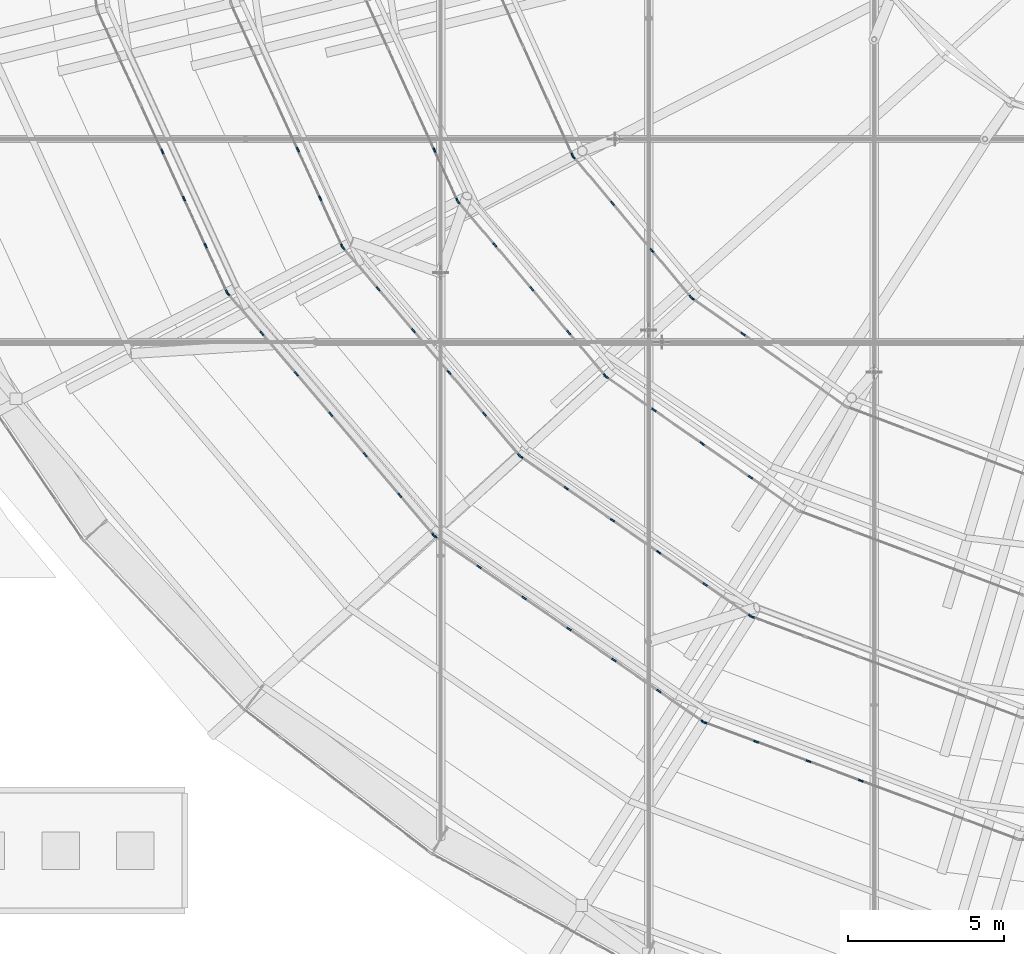
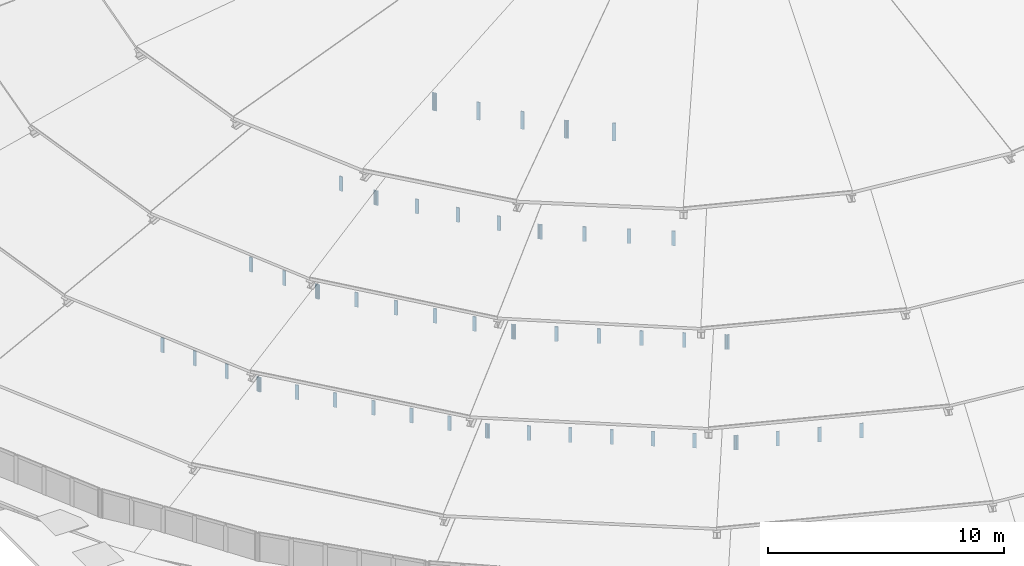
# One storey, part 125 of 173: 56 members, 14 elements without a shape of their own.
"""IFC4 building model written with IfcOpenShell, lengths in metres."""

from ifc_helpers import new_model, si_unit, direction, frame, origin, origin_2d, place, context, subcontext, project, spatial, rectangle, extrude, material, material_profile, profile_set, type_object, element, aggregate, save


model = new_model("IFC4")

# Units and contexts
model_context = context("Model", 3, precision=1e-05, world=origin(), true_north=direction((0.0, 1.0)))
body_context = subcontext(model_context, "Body", "Model", "MODEL_VIEW")
ifc_project = project(units=[si_unit("LENGTHUNIT", "METRE"), si_unit("AREAUNIT", "SQUARE_METRE"), si_unit("VOLUMEUNIT", "CUBIC_METRE"), si_unit("PLANEANGLEUNIT", "RADIAN"), si_unit("MASSUNIT", "GRAM", prefix="KILO")], contexts=[model_context])

# Site, building, storey
site_placement = place(None, origin())
site = spatial("IfcSite", under=ifc_project, at=site_placement, CompositionType="ELEMENT")
building_placement = place(site_placement, origin())
building = spatial("IfcBuilding", under=site, at=building_placement, Name="Glasvene Arena", CompositionType="ELEMENT")
storey_placement = place(building_placement, frame((0.0, 0.0, 28.800048828125)))
storey = spatial("IfcBuildingStorey", under=building, at=storey_placement, Name="RF", CompositionType="ELEMENT", Elevation=28.800048828125)

# Curtain wall, members
ifc_material_1 = material(Name="Low-emissivity laminated double glazing", Category="glass")
curtain_wall_type_1 = type_object("IfcCurtainWallType", Name="CW-PET1-1001x75", PredefinedType="USERDEFINED", material=ifc_material_1)
curtain_wall_1_placement = place(storey_placement, frame((51.575927734375, 63.242431640625, 0.0)))
curtain_wall_1 = element("IfcCurtainWall", 1, at=curtain_wall_1_placement, inside=storey, type_object=curtain_wall_type_1, Name="Petal ring 1-2 clerestory curtain wall 14", ObjectType="CURTAIN WALL", PredefinedType="USERDEFINED")
ifc_material_2 = material(Name="Anodised architectural aluminium", Category="aluminium")
ifc_material_profile = material_profile(ifc_material_2, rectangle(XDim=0.050048828125, YDim=0.159912109375, at=origin_2d()), Name="ALU MULLION 50x160")
ifc_profile_set = profile_set([ifc_material_profile], Name="Anodised architectural aluminium")
member_type = type_object("IfcMemberType", Name="CW-MUL-150", PredefinedType="MULLION", material=ifc_profile_set)
member_1_placement = place(storey_placement, frame((53.66650390625, 58.6962890625, 2.579833984375), z_axis=(0.0, 0.0, 1.0), x_axis=(0.908556831634, 0.41776127596, 0.0)))
member_1 = element("IfcMember", 2, at=member_1_placement, type_object=member_type, Name="CW-082 mullion 4", PredefinedType="MULLION", context=body_context, shape_type="SweptSolid", body=[
    extrude(rectangle(XDim=0.050048828125, YDim=0.159912109375, at=origin_2d()), origin(), (0.0, 0.0, 1.0), 0.75),
])
member_2_placement = place(storey_placement, frame((54.36328125, 57.180908203125, 2.579833984375), z_axis=(0.0, 0.0, 1.0), x_axis=(0.908556831634, 0.41776127596, 0.0)))
member_2 = element("IfcMember", 3, at=member_2_placement, type_object=member_type, Name="CW-082 mullion 5", PredefinedType="MULLION", context=body_context, shape_type="SweptSolid", body=[
    extrude(rectangle(XDim=0.050048828125, YDim=0.159912109375, at=origin_2d()), origin(), (0.0, 0.0, 1.0), 0.75),
])
member_3_placement = place(storey_placement, frame((55.06005859375, 55.66552734375, 2.579833984375), z_axis=(0.0, 0.0, 1.0), x_axis=(0.908556831634, 0.41776127596, 0.0)))
member_3 = element("IfcMember", 4, at=member_3_placement, type_object=member_type, Name="CW-082 mullion 6", PredefinedType="MULLION", context=body_context, shape_type="SweptSolid", body=[
    extrude(rectangle(XDim=0.050048828125, YDim=0.159912109375, at=origin_2d()), origin(), (0.0, 0.0, 1.0), 0.75),
])
member_4_placement = place(storey_placement, frame((55.746337890625, 54.172607421875, 2.579833984375), z_axis=(0.0, 0.0, 1.0), x_axis=(0.908556831634, 0.41776127596, 0.0)))
member_4 = element("IfcMember", 5, at=member_4_placement, type_object=member_type, Name="CW-082 mullion 7", PredefinedType="MULLION", context=body_context, shape_type="SweptSolid", body=[
    extrude(rectangle(XDim=0.050048828125, YDim=0.159912109375, at=origin_2d()), origin(), (0.0, 0.0, 1.0), 0.75),
])
aggregate(curtain_wall_1, [member_1, member_2, member_3, member_4])

curtain_wall_type_2 = type_object("IfcCurtainWallType", Name="CW-PET1-1026x75", PredefinedType="USERDEFINED", material=ifc_material_1)
curtain_wall_2_placement = place(storey_placement, frame((55.7568359375, 54.14990234375, 0.0)))
curtain_wall_2 = element("IfcCurtainWall", 6, at=curtain_wall_2_placement, inside=storey, type_object=curtain_wall_type_2, Name="Petal ring 1-2 clerestory curtain wall 15", ObjectType="CURTAIN WALL", PredefinedType="USERDEFINED")
member_5_placement = place(storey_placement, frame((55.77294921875, 54.130859375, 2.579833984375), z_axis=(0.0, 0.0, 1.0), x_axis=(0.761261234149, 0.648445320272, 0.0)))
member_5 = element("IfcMember", 7, at=member_5_placement, type_object=member_type, Name="CW-083 mullion 1", PredefinedType="MULLION", context=body_context, shape_type="SweptSolid", body=[
    extrude(rectangle(XDim=0.050048828125, YDim=0.159912109375, at=origin_2d()), origin(), (0.0, 0.0, 1.0), 0.75),
])
member_6_placement = place(storey_placement, frame((56.865234375, 52.8486328125, 2.579833984375), z_axis=(0.0, 0.0, 1.0), x_axis=(0.761261234149, 0.648445320272, 0.0)))
member_6 = element("IfcMember", 8, at=member_6_placement, type_object=member_type, Name="CW-083 mullion 2", PredefinedType="MULLION", context=body_context, shape_type="SweptSolid", body=[
    extrude(rectangle(XDim=0.050048828125, YDim=0.159912109375, at=origin_2d()), origin(), (0.0, 0.0, 1.0), 0.75),
])
member_7_placement = place(storey_placement, frame((57.9736328125, 51.54736328125, 2.579833984375), z_axis=(0.0, 0.0, 1.0), x_axis=(0.761261234149, 0.648445320272, 0.0)))
member_7 = element("IfcMember", 9, at=member_7_placement, type_object=member_type, Name="CW-083 mullion 3", PredefinedType="MULLION", context=body_context, shape_type="SweptSolid", body=[
    extrude(rectangle(XDim=0.050048828125, YDim=0.159912109375, at=origin_2d()), origin(), (0.0, 0.0, 1.0), 0.75),
])
member_8_placement = place(storey_placement, frame((59.082275390625, 50.24609375, 2.579833984375), z_axis=(0.0, 0.0, 1.0), x_axis=(0.761261234149, 0.648445320272, 0.0)))
member_8 = element("IfcMember", 10, at=member_8_placement, type_object=member_type, Name="CW-083 mullion 4", PredefinedType="MULLION", context=body_context, shape_type="SweptSolid", body=[
    extrude(rectangle(XDim=0.050048828125, YDim=0.159912109375, at=origin_2d()), origin(), (0.0, 0.0, 1.0), 0.75),
])
member_9_placement = place(storey_placement, frame((60.190673828125, 48.94482421875, 2.579833984375), z_axis=(0.0, 0.0, 1.0), x_axis=(0.761261234149, 0.648445320272, 0.0)))
member_9 = element("IfcMember", 11, at=member_9_placement, type_object=member_type, Name="CW-083 mullion 5", PredefinedType="MULLION", context=body_context, shape_type="SweptSolid", body=[
    extrude(rectangle(XDim=0.050048828125, YDim=0.159912109375, at=origin_2d()), origin(), (0.0, 0.0, 1.0), 0.75),
])
member_10_placement = place(storey_placement, frame((61.299072265625, 47.643310546875, 2.579833984375), z_axis=(0.0, 0.0, 1.0), x_axis=(0.761261234149, 0.648445320272, 0.0)))
member_10 = element("IfcMember", 12, at=member_10_placement, type_object=member_type, Name="CW-083 mullion 6", PredefinedType="MULLION", context=body_context, shape_type="SweptSolid", body=[
    extrude(rectangle(XDim=0.050048828125, YDim=0.159912109375, at=origin_2d()), origin(), (0.0, 0.0, 1.0), 0.75),
])
member_11_placement = place(storey_placement, frame((62.391357421875, 46.361083984375, 2.579833984375), z_axis=(0.0, 0.0, 1.0), x_axis=(0.761261234149, 0.648445320272, 0.0)))
member_11 = element("IfcMember", 13, at=member_11_placement, type_object=member_type, Name="CW-083 mullion 7", PredefinedType="MULLION", context=body_context, shape_type="SweptSolid", body=[
    extrude(rectangle(XDim=0.050048828125, YDim=0.159912109375, at=origin_2d()), origin(), (0.0, 0.0, 1.0), 0.75),
])
aggregate(curtain_wall_2, [member_5, member_6, member_7, member_8, member_9, member_10, member_11])

curtain_wall_type_3 = type_object("IfcCurtainWallType", Name="CW-PET1-1054x75", PredefinedType="USERDEFINED", material=ifc_material_1)
curtain_wall_3_placement = place(storey_placement, frame((62.40771484375, 46.342041015625, 0.0)))
curtain_wall_3 = element("IfcCurtainWall", 14, at=curtain_wall_3_placement, inside=storey, type_object=curtain_wall_type_3, Name="Petal ring 1-2 clerestory curtain wall 16", ObjectType="CURTAIN WALL", PredefinedType="USERDEFINED")
member_12_placement = place(storey_placement, frame((62.42822265625, 46.327880859375, 2.579833984375), z_axis=(0.0, 0.0, 1.0), x_axis=(0.568619089886, 0.822600954666, 0.0)))
member_12 = element("IfcMember", 15, at=member_12_placement, type_object=member_type, Name="CW-084 mullion 1", PredefinedType="MULLION", context=body_context, shape_type="SweptSolid", body=[
    extrude(rectangle(XDim=0.050048828125, YDim=0.159912109375, at=origin_2d()), origin(), (0.0, 0.0, 1.0), 0.75),
])
member_13_placement = place(storey_placement, frame((63.85205078125, 45.343505859375, 2.579833984375), z_axis=(0.0, 0.0, 1.0), x_axis=(0.568619089886, 0.822600954666, 0.0)))
member_13 = element("IfcMember", 16, at=member_13_placement, type_object=member_type, Name="CW-084 mullion 2", PredefinedType="MULLION", context=body_context, shape_type="SweptSolid", body=[
    extrude(rectangle(XDim=0.050048828125, YDim=0.159912109375, at=origin_2d()), origin(), (0.0, 0.0, 1.0), 0.75),
])
member_14_placement = place(storey_placement, frame((65.296630859375, 44.344970703125, 2.579833984375), z_axis=(0.0, 0.0, 1.0), x_axis=(0.568619089886, 0.822600954666, 0.0)))
member_14 = element("IfcMember", 17, at=member_14_placement, type_object=member_type, Name="CW-084 mullion 3", PredefinedType="MULLION", context=body_context, shape_type="SweptSolid", body=[
    extrude(rectangle(XDim=0.050048828125, YDim=0.159912109375, at=origin_2d()), origin(), (0.0, 0.0, 1.0), 0.75),
])
member_15_placement = place(storey_placement, frame((66.7412109375, 43.346435546875, 2.579833984375), z_axis=(0.0, 0.0, 1.0), x_axis=(0.568619089886, 0.822600954666, 0.0)))
member_15 = element("IfcMember", 18, at=member_15_placement, type_object=member_type, Name="CW-084 mullion 4", PredefinedType="MULLION", context=body_context, shape_type="SweptSolid", body=[
    extrude(rectangle(XDim=0.050048828125, YDim=0.159912109375, at=origin_2d()), origin(), (0.0, 0.0, 1.0), 0.75),
])
member_16_placement = place(storey_placement, frame((68.185791015625, 42.347900390625, 2.579833984375), z_axis=(0.0, 0.0, 1.0), x_axis=(0.568619089886, 0.822600954666, 0.0)))
member_16 = element("IfcMember", 19, at=member_16_placement, type_object=member_type, Name="CW-084 mullion 5", PredefinedType="MULLION", context=body_context, shape_type="SweptSolid", body=[
    extrude(rectangle(XDim=0.050048828125, YDim=0.159912109375, at=origin_2d()), origin(), (0.0, 0.0, 1.0), 0.75),
])
member_17_placement = place(storey_placement, frame((69.63037109375, 41.349365234375, 2.579833984375), z_axis=(0.0, 0.0, 1.0), x_axis=(0.568619089886, 0.822600954666, 0.0)))
member_17 = element("IfcMember", 20, at=member_17_placement, type_object=member_type, Name="CW-084 mullion 6", PredefinedType="MULLION", context=body_context, shape_type="SweptSolid", body=[
    extrude(rectangle(XDim=0.050048828125, YDim=0.159912109375, at=origin_2d()), origin(), (0.0, 0.0, 1.0), 0.75),
])
member_18_placement = place(storey_placement, frame((71.054443359375, 40.364990234375, 2.579833984375), z_axis=(0.0, 0.0, 1.0), x_axis=(0.568619089886, 0.822600954666, 0.0)))
member_18 = element("IfcMember", 21, at=member_18_placement, type_object=member_type, Name="CW-084 mullion 7", PredefinedType="MULLION", context=body_context, shape_type="SweptSolid", body=[
    extrude(rectangle(XDim=0.050048828125, YDim=0.159912109375, at=origin_2d()), origin(), (0.0, 0.0, 1.0), 0.75),
])
aggregate(curtain_wall_3, [member_12, member_13, member_14, member_15, member_16, member_17, member_18])

curtain_wall_type_4 = type_object("IfcCurtainWallType", Name="CW-PET1-1077x75", PredefinedType="USERDEFINED", material=ifc_material_1)
curtain_wall_4_placement = place(storey_placement, frame((71.074951171875, 40.350830078125, 0.0)))
curtain_wall_4 = element("IfcCurtainWall", 22, at=curtain_wall_4_placement, inside=storey, type_object=curtain_wall_type_4, Name="Petal ring 1-2 clerestory curtain wall 17", ObjectType="CURTAIN WALL", PredefinedType="USERDEFINED")
member_19_placement = place(storey_placement, frame((71.098388671875, 40.342041015625, 2.579833984375), z_axis=(0.0, 0.0, 1.0), x_axis=(0.349591006176, 0.936902411354, 0.0)))
member_19 = element("IfcMember", 23, at=member_19_placement, type_object=member_type, Name="CW-085 mullion 1", PredefinedType="MULLION", context=body_context, shape_type="SweptSolid", body=[
    extrude(rectangle(XDim=0.050048828125, YDim=0.159912109375, at=origin_2d()), origin(), (0.0, 0.0, 1.0), 0.75),
])
member_20_placement = place(storey_placement, frame((72.75732421875, 39.72314453125, 2.579833984375), z_axis=(0.0, 0.0, 1.0), x_axis=(0.349591006176, 0.936902411354, 0.0)))
member_20 = element("IfcMember", 24, at=member_20_placement, type_object=member_type, Name="CW-085 mullion 2", PredefinedType="MULLION", context=body_context, shape_type="SweptSolid", body=[
    extrude(rectangle(XDim=0.050048828125, YDim=0.159912109375, at=origin_2d()), origin(), (0.0, 0.0, 1.0), 0.75),
])
member_21_placement = place(storey_placement, frame((74.439453125, 39.095458984375, 2.579833984375), z_axis=(0.0, 0.0, 1.0), x_axis=(0.349591006176, 0.936902411354, 0.0)))
member_21 = element("IfcMember", 25, at=member_21_placement, type_object=member_type, Name="CW-085 mullion 3", PredefinedType="MULLION", context=body_context, shape_type="SweptSolid", body=[
    extrude(rectangle(XDim=0.050048828125, YDim=0.159912109375, at=origin_2d()), origin(), (0.0, 0.0, 1.0), 0.75),
])
member_22_placement = place(storey_placement, frame((76.12158203125, 38.4677734375, 2.579833984375), z_axis=(0.0, 0.0, 1.0), x_axis=(0.349591006176, 0.936902411354, 0.0)))
member_22 = element("IfcMember", 26, at=member_22_placement, type_object=member_type, Name="CW-085 mullion 4", PredefinedType="MULLION", context=body_context, shape_type="SweptSolid", body=[
    extrude(rectangle(XDim=0.050048828125, YDim=0.159912109375, at=origin_2d()), origin(), (0.0, 0.0, 1.0), 0.75),
])
aggregate(curtain_wall_4, [member_19, member_20, member_21, member_22])

curtain_wall_type_5 = type_object("IfcCurtainWallType", Name="CW-PET2-861x75", PredefinedType="USERDEFINED", material=ifc_material_1)
curtain_wall_5_placement = place(storey_placement, frame((55.873291015625, 63.451416015625, 0.0)))
curtain_wall_5 = element("IfcCurtainWall", 27, at=curtain_wall_5_placement, inside=storey, type_object=curtain_wall_type_5, Name="Petal ring 2-3 clerestory curtain wall 14", ObjectType="CURTAIN WALL", PredefinedType="USERDEFINED")
member_23_placement = place(storey_placement, frame((58.025146484375, 58.755615234375, 5.179931640625), z_axis=(0.0, 0.0, 1.0), x_axis=(0.909093602111, 0.416591913749, 0.0)))
member_23 = element("IfcMember", 28, at=member_23_placement, type_object=member_type, Name="CW-088 mullion 4", PredefinedType="MULLION", context=body_context, shape_type="SweptSolid", body=[
    extrude(rectangle(XDim=0.050048828125, YDim=0.159912109375, at=origin_2d()), origin(), (0.0, 0.0, 1.0), 0.75),
])
member_24_placement = place(storey_placement, frame((58.742431640625, 57.190185546875, 5.179931640625), z_axis=(0.0, 0.0, 1.0), x_axis=(0.909093602111, 0.416591913749, 0.0)))
member_24 = element("IfcMember", 29, at=member_24_placement, type_object=member_type, Name="CW-088 mullion 5", PredefinedType="MULLION", context=body_context, shape_type="SweptSolid", body=[
    extrude(rectangle(XDim=0.050048828125, YDim=0.159912109375, at=origin_2d()), origin(), (0.0, 0.0, 1.0), 0.75),
])
member_25_placement = place(storey_placement, frame((59.44921875, 55.647705078125, 5.179931640625), z_axis=(0.0, 0.0, 1.0), x_axis=(0.909093602111, 0.416591913749, 0.0)))
member_25 = element("IfcMember", 30, at=member_25_placement, type_object=member_type, Name="CW-088 mullion 6", PredefinedType="MULLION", context=body_context, shape_type="SweptSolid", body=[
    extrude(rectangle(XDim=0.050048828125, YDim=0.159912109375, at=origin_2d()), origin(), (0.0, 0.0, 1.0), 0.75),
])
aggregate(curtain_wall_5, [member_23, member_24, member_25])

curtain_wall_type_6 = type_object("IfcCurtainWallType", Name="CW-PET2-882x75", PredefinedType="USERDEFINED", material=ifc_material_1)
curtain_wall_6_placement = place(storey_placement, frame((59.459716796875, 55.625, 0.0)))
curtain_wall_6 = element("IfcCurtainWall", 31, at=curtain_wall_6_placement, inside=storey, type_object=curtain_wall_type_6, Name="Petal ring 2-3 clerestory curtain wall 15", ObjectType="CURTAIN WALL", PredefinedType="USERDEFINED")
member_26_placement = place(storey_placement, frame((59.475830078125, 55.60595703125, 5.179931640625), z_axis=(0.0, 0.0, 1.0), x_axis=(0.762348353305, 0.647166893632, 0.0)))
member_26 = element("IfcMember", 32, at=member_26_placement, type_object=member_type, Name="CW-089 mullion 1", PredefinedType="MULLION", context=body_context, shape_type="SweptSolid", body=[
    extrude(rectangle(XDim=0.050048828125, YDim=0.159912109375, at=origin_2d()), origin(), (0.0, 0.0, 1.0), 0.75),
])
member_27_placement = place(storey_placement, frame((60.600830078125, 54.28076171875, 5.179931640625), z_axis=(0.0, 0.0, 1.0), x_axis=(0.762348353305, 0.647166893632, 0.0)))
member_27 = element("IfcMember", 33, at=member_27_placement, type_object=member_type, Name="CW-089 mullion 2", PredefinedType="MULLION", context=body_context, shape_type="SweptSolid", body=[
    extrude(rectangle(XDim=0.050048828125, YDim=0.159912109375, at=origin_2d()), origin(), (0.0, 0.0, 1.0), 0.75),
])
member_28_placement = place(storey_placement, frame((61.74169921875, 52.936767578125, 5.179931640625), z_axis=(0.0, 0.0, 1.0), x_axis=(0.762348353305, 0.647166893632, 0.0)))
member_28 = element("IfcMember", 34, at=member_28_placement, type_object=member_type, Name="CW-089 mullion 3", PredefinedType="MULLION", context=body_context, shape_type="SweptSolid", body=[
    extrude(rectangle(XDim=0.050048828125, YDim=0.159912109375, at=origin_2d()), origin(), (0.0, 0.0, 1.0), 0.75),
])
member_29_placement = place(storey_placement, frame((62.8828125, 51.592529296875, 5.179931640625), z_axis=(0.0, 0.0, 1.0), x_axis=(0.762348353305, 0.647166893632, 0.0)))
member_29 = element("IfcMember", 35, at=member_29_placement, type_object=member_type, Name="CW-089 mullion 4", PredefinedType="MULLION", context=body_context, shape_type="SweptSolid", body=[
    extrude(rectangle(XDim=0.050048828125, YDim=0.159912109375, at=origin_2d()), origin(), (0.0, 0.0, 1.0), 0.75),
])
member_30_placement = place(storey_placement, frame((64.02392578125, 50.24853515625, 5.179931640625), z_axis=(0.0, 0.0, 1.0), x_axis=(0.762348353305, 0.647166893632, 0.0)))
member_30 = element("IfcMember", 36, at=member_30_placement, type_object=member_type, Name="CW-089 mullion 5", PredefinedType="MULLION", context=body_context, shape_type="SweptSolid", body=[
    extrude(rectangle(XDim=0.050048828125, YDim=0.159912109375, at=origin_2d()), origin(), (0.0, 0.0, 1.0), 0.75),
])
member_31_placement = place(storey_placement, frame((65.148681640625, 48.92333984375, 5.179931640625), z_axis=(0.0, 0.0, 1.0), x_axis=(0.762348353305, 0.647166893632, 0.0)))
member_31 = element("IfcMember", 37, at=member_31_placement, type_object=member_type, Name="CW-089 mullion 6", PredefinedType="MULLION", context=body_context, shape_type="SweptSolid", body=[
    extrude(rectangle(XDim=0.050048828125, YDim=0.159912109375, at=origin_2d()), origin(), (0.0, 0.0, 1.0), 0.75),
])
aggregate(curtain_wall_6, [member_26, member_27, member_28, member_29, member_30, member_31])

curtain_wall_type_7 = type_object("IfcCurtainWallType", Name="CW-PET2-905x75", PredefinedType="USERDEFINED", material=ifc_material_1)
curtain_wall_7_placement = place(storey_placement, frame((65.164794921875, 48.904296875, 0.0)))
curtain_wall_7 = element("IfcCurtainWall", 38, at=curtain_wall_7_placement, inside=storey, type_object=curtain_wall_type_7, Name="Petal ring 2-3 clerestory curtain wall 16", ObjectType="CURTAIN WALL", PredefinedType="USERDEFINED")
member_32_placement = place(storey_placement, frame((65.185546875, 48.89013671875, 5.179931640625), z_axis=(0.0, 0.0, 1.0), x_axis=(0.569921225109, 0.821699335018, 0.0)))
member_32 = element("IfcMember", 39, at=member_32_placement, type_object=member_type, Name="CW-090 mullion 1", PredefinedType="MULLION", context=body_context, shape_type="SweptSolid", body=[
    extrude(rectangle(XDim=0.050048828125, YDim=0.159912109375, at=origin_2d()), origin(), (0.0, 0.0, 1.0), 0.75),
])
member_33_placement = place(storey_placement, frame((66.65185546875, 47.873046875, 5.179931640625), z_axis=(0.0, 0.0, 1.0), x_axis=(0.569921225109, 0.821699335018, 0.0)))
member_33 = element("IfcMember", 40, at=member_33_placement, type_object=member_type, Name="CW-090 mullion 2", PredefinedType="MULLION", context=body_context, shape_type="SweptSolid", body=[
    extrude(rectangle(XDim=0.050048828125, YDim=0.159912109375, at=origin_2d()), origin(), (0.0, 0.0, 1.0), 0.75),
])
member_34_placement = place(storey_placement, frame((68.138916015625, 46.841552734375, 5.179931640625), z_axis=(0.0, 0.0, 1.0), x_axis=(0.569921225109, 0.821699335018, 0.0)))
member_34 = element("IfcMember", 41, at=member_34_placement, type_object=member_type, Name="CW-090 mullion 3", PredefinedType="MULLION", context=body_context, shape_type="SweptSolid", body=[
    extrude(rectangle(XDim=0.050048828125, YDim=0.159912109375, at=origin_2d()), origin(), (0.0, 0.0, 1.0), 0.75),
])
member_35_placement = place(storey_placement, frame((69.6259765625, 45.810302734375, 5.179931640625), z_axis=(0.0, 0.0, 1.0), x_axis=(0.569921225109, 0.821699335018, 0.0)))
member_35 = element("IfcMember", 42, at=member_35_placement, type_object=member_type, Name="CW-090 mullion 4", PredefinedType="MULLION", context=body_context, shape_type="SweptSolid", body=[
    extrude(rectangle(XDim=0.050048828125, YDim=0.159912109375, at=origin_2d()), origin(), (0.0, 0.0, 1.0), 0.75),
])
member_36_placement = place(storey_placement, frame((71.113037109375, 44.77880859375, 5.179931640625), z_axis=(0.0, 0.0, 1.0), x_axis=(0.569921225109, 0.821699335018, 0.0)))
member_36 = element("IfcMember", 43, at=member_36_placement, type_object=member_type, Name="CW-090 mullion 5", PredefinedType="MULLION", context=body_context, shape_type="SweptSolid", body=[
    extrude(rectangle(XDim=0.050048828125, YDim=0.159912109375, at=origin_2d()), origin(), (0.0, 0.0, 1.0), 0.75),
])
member_37_placement = place(storey_placement, frame((72.579345703125, 43.76171875, 5.179931640625), z_axis=(0.0, 0.0, 1.0), x_axis=(0.569921225109, 0.821699335018, 0.0)))
member_37 = element("IfcMember", 44, at=member_37_placement, type_object=member_type, Name="CW-090 mullion 6", PredefinedType="MULLION", context=body_context, shape_type="SweptSolid", body=[
    extrude(rectangle(XDim=0.050048828125, YDim=0.159912109375, at=origin_2d()), origin(), (0.0, 0.0, 1.0), 0.75),
])
aggregate(curtain_wall_7, [member_32, member_33, member_34, member_35, member_36, member_37])

# Curtain wall, member
curtain_wall_type_8 = type_object("IfcCurtainWallType", Name="CW-PET2-925x75", PredefinedType="USERDEFINED", material=ifc_material_1)
curtain_wall_8_placement = place(storey_placement, frame((72.60009765625, 43.74755859375, 0.0)))
curtain_wall_8 = element("IfcCurtainWall", 45, at=curtain_wall_8_placement, inside=storey, type_object=curtain_wall_type_8, Name="Petal ring 2-3 clerestory curtain wall 17", ObjectType="CURTAIN WALL", PredefinedType="USERDEFINED")
member_38_placement = place(storey_placement, frame((72.623291015625, 43.73876953125, 5.179931640625), z_axis=(0.0, 0.0, 1.0), x_axis=(0.350639776971, 0.936510409342, 0.0)))
member_38 = element("IfcMember", 46, at=member_38_placement, type_object=member_type, Name="CW-091 mullion 1", PredefinedType="MULLION", context=body_context, shape_type="SweptSolid", body=[
    extrude(rectangle(XDim=0.050048828125, YDim=0.159912109375, at=origin_2d()), origin(), (0.0, 0.0, 1.0), 0.75),
])
aggregate(curtain_wall_8, [member_38])

# Curtain wall, members
curtain_wall_type_9 = type_object("IfcCurtainWallType", Name="CW-PET3-721x75", PredefinedType="USERDEFINED", material=ifc_material_1)
curtain_wall_9_placement = place(storey_placement, frame((60.17041015625, 63.66015625, 0.0)))
curtain_wall_9 = element("IfcCurtainWall", 47, at=curtain_wall_9_placement, inside=storey, type_object=curtain_wall_type_9, Name="Petal ring 3-4 clerestory curtain wall 14", ObjectType="CURTAIN WALL", PredefinedType="USERDEFINED")
member_39_placement = place(storey_placement, frame((62.41455078125, 58.739990234375, 7.829833984375), z_axis=(0.0, 0.0, 1.0), x_axis=(0.909836135842, 0.414967716717, 0.0)))
member_39 = element("IfcMember", 48, at=member_39_placement, type_object=member_type, Name="CW-094 mullion 4", PredefinedType="MULLION", context=body_context, shape_type="SweptSolid", body=[
    extrude(rectangle(XDim=0.050048828125, YDim=0.159912109375, at=origin_2d()), origin(), (0.0, 0.0, 1.0), 0.75),
])
member_40_placement = place(storey_placement, frame((63.152099609375, 57.122802734375, 7.829833984375), z_axis=(0.0, 0.0, 1.0), x_axis=(0.909836135842, 0.414967716717, 0.0)))
member_40 = element("IfcMember", 49, at=member_40_placement, type_object=member_type, Name="CW-094 mullion 5", PredefinedType="MULLION", context=body_context, shape_type="SweptSolid", body=[
    extrude(rectangle(XDim=0.050048828125, YDim=0.159912109375, at=origin_2d()), origin(), (0.0, 0.0, 1.0), 0.75),
])
aggregate(curtain_wall_9, [member_39, member_40])

curtain_wall_type_10 = type_object("IfcCurtainWallType", Name="CW-PET3-737x75", PredefinedType="USERDEFINED", material=ifc_material_1)
curtain_wall_10_placement = place(storey_placement, frame((63.16259765625, 57.10009765625, 0.0)))
curtain_wall_10 = element("IfcCurtainWall", 50, at=curtain_wall_10_placement, inside=storey, type_object=curtain_wall_type_10, Name="Petal ring 3-4 clerestory curtain wall 15", ObjectType="CURTAIN WALL", PredefinedType="USERDEFINED")
member_41_placement = place(storey_placement, frame((63.1787109375, 57.080810546875, 7.829833984375), z_axis=(0.0, 0.0, 1.0), x_axis=(0.763850012044, 0.645393801566, 0.0)))
member_41 = element("IfcMember", 51, at=member_41_placement, type_object=member_type, Name="CW-095 mullion 1", PredefinedType="MULLION", context=body_context, shape_type="SweptSolid", body=[
    extrude(rectangle(XDim=0.050048828125, YDim=0.159912109375, at=origin_2d()), origin(), (0.0, 0.0, 1.0), 0.75),
])
member_42_placement = place(storey_placement, frame((64.3525390625, 55.691650390625, 7.829833984375), z_axis=(0.0, 0.0, 1.0), x_axis=(0.763850012044, 0.645393801566, 0.0)))
member_42 = element("IfcMember", 52, at=member_42_placement, type_object=member_type, Name="CW-095 mullion 2", PredefinedType="MULLION", context=body_context, shape_type="SweptSolid", body=[
    extrude(rectangle(XDim=0.050048828125, YDim=0.159912109375, at=origin_2d()), origin(), (0.0, 0.0, 1.0), 0.75),
])
member_43_placement = place(storey_placement, frame((65.542236328125, 54.283447265625, 7.829833984375), z_axis=(0.0, 0.0, 1.0), x_axis=(0.763850012044, 0.645393801566, 0.0)))
member_43 = element("IfcMember", 53, at=member_43_placement, type_object=member_type, Name="CW-095 mullion 3", PredefinedType="MULLION", context=body_context, shape_type="SweptSolid", body=[
    extrude(rectangle(XDim=0.050048828125, YDim=0.159912109375, at=origin_2d()), origin(), (0.0, 0.0, 1.0), 0.75),
])
member_44_placement = place(storey_placement, frame((66.732177734375, 52.875, 7.829833984375), z_axis=(0.0, 0.0, 1.0), x_axis=(0.763850012044, 0.645393801566, 0.0)))
member_44 = element("IfcMember", 54, at=member_44_placement, type_object=member_type, Name="CW-095 mullion 4", PredefinedType="MULLION", context=body_context, shape_type="SweptSolid", body=[
    extrude(rectangle(XDim=0.050048828125, YDim=0.159912109375, at=origin_2d()), origin(), (0.0, 0.0, 1.0), 0.75),
])
member_45_placement = place(storey_placement, frame((67.906005859375, 51.48583984375, 7.829833984375), z_axis=(0.0, 0.0, 1.0), x_axis=(0.763850012044, 0.645393801566, 0.0)))
member_45 = element("IfcMember", 55, at=member_45_placement, type_object=member_type, Name="CW-095 mullion 5", PredefinedType="MULLION", context=body_context, shape_type="SweptSolid", body=[
    extrude(rectangle(XDim=0.050048828125, YDim=0.159912109375, at=origin_2d()), origin(), (0.0, 0.0, 1.0), 0.75),
])
aggregate(curtain_wall_10, [member_41, member_42, member_43, member_44, member_45])

curtain_wall_type_11 = type_object("IfcCurtainWallType", Name="CW-PET3-756x75", PredefinedType="USERDEFINED", material=ifc_material_1)
curtain_wall_11_placement = place(storey_placement, frame((67.922119140625, 51.466796875, 0.0)))
curtain_wall_11 = element("IfcCurtainWall", 56, at=curtain_wall_11_placement, inside=storey, type_object=curtain_wall_type_11, Name="Petal ring 3-4 clerestory curtain wall 16", ObjectType="CURTAIN WALL", PredefinedType="USERDEFINED")
member_46_placement = place(storey_placement, frame((67.942626953125, 51.452392578125, 7.829833984375), z_axis=(0.0, 0.0, 1.0), x_axis=(0.571742483725, 0.82043313701, 0.0)))
member_46 = element("IfcMember", 57, at=member_46_placement, type_object=member_type, Name="CW-096 mullion 1", PredefinedType="MULLION", context=body_context, shape_type="SweptSolid", body=[
    extrude(rectangle(XDim=0.050048828125, YDim=0.159912109375, at=origin_2d()), origin(), (0.0, 0.0, 1.0), 0.75),
])
member_47_placement = place(storey_placement, frame((69.472900390625, 50.385986328125, 7.829833984375), z_axis=(0.0, 0.0, 1.0), x_axis=(0.571742483725, 0.82043313701, 0.0)))
member_47 = element("IfcMember", 58, at=member_47_placement, type_object=member_type, Name="CW-096 mullion 2", PredefinedType="MULLION", context=body_context, shape_type="SweptSolid", body=[
    extrude(rectangle(XDim=0.050048828125, YDim=0.159912109375, at=origin_2d()), origin(), (0.0, 0.0, 1.0), 0.75),
])
member_48_placement = place(storey_placement, frame((71.023681640625, 49.305419921875, 7.829833984375), z_axis=(0.0, 0.0, 1.0), x_axis=(0.571742483725, 0.82043313701, 0.0)))
member_48 = element("IfcMember", 59, at=member_48_placement, type_object=member_type, Name="CW-096 mullion 3", PredefinedType="MULLION", context=body_context, shape_type="SweptSolid", body=[
    extrude(rectangle(XDim=0.050048828125, YDim=0.159912109375, at=origin_2d()), origin(), (0.0, 0.0, 1.0), 0.75),
])
member_49_placement = place(storey_placement, frame((72.57421875, 48.224853515625, 7.829833984375), z_axis=(0.0, 0.0, 1.0), x_axis=(0.571742483725, 0.82043313701, 0.0)))
member_49 = element("IfcMember", 60, at=member_49_placement, type_object=member_type, Name="CW-096 mullion 4", PredefinedType="MULLION", context=body_context, shape_type="SweptSolid", body=[
    extrude(rectangle(XDim=0.050048828125, YDim=0.159912109375, at=origin_2d()), origin(), (0.0, 0.0, 1.0), 0.75),
])
aggregate(curtain_wall_11, [member_46, member_47, member_48, member_49])

# Curtain wall, member
curtain_wall_type_12 = type_object("IfcCurtainWallType", Name="CW-PET4-582x92", PredefinedType="USERDEFINED", material=ifc_material_1)
curtain_wall_12_placement = place(storey_placement, frame((64.4677734375, 63.85595703125, 0.0)))
curtain_wall_12 = element("IfcCurtainWall", 61, at=curtain_wall_12_placement, inside=storey, type_object=curtain_wall_type_12, Name="Petal ring 4-5 clerestory curtain wall 14", ObjectType="CURTAIN WALL", PredefinedType="USERDEFINED")
member_50_placement = place(storey_placement, frame((66.855224609375, 58.57275390625, 10.530029296875), z_axis=(0.0, 0.0, 1.0), x_axis=(0.911284127649, 0.411778142566, 0.0)))
member_50 = element("IfcMember", 62, at=member_50_placement, type_object=member_type, Name="CW-100 mullion 4", PredefinedType="MULLION", context=body_context, shape_type="SweptSolid", body=[
    extrude(rectangle(XDim=0.050048828125, YDim=0.159912109375, at=origin_2d()), origin(), (0.0, 0.0, 1.0), 0.916015625),
])
aggregate(curtain_wall_12, [member_50])

# Curtain wall, members
curtain_wall_type_13 = type_object("IfcCurtainWallType", Name="CW-PET4-594x92", PredefinedType="USERDEFINED", material=ifc_material_1)
curtain_wall_13_placement = place(storey_placement, frame((66.865478515625, 58.550048828125, 0.0)))
curtain_wall_13 = element("IfcCurtainWall", 63, at=curtain_wall_13_placement, inside=storey, type_object=curtain_wall_type_13, Name="Petal ring 4-5 clerestory curtain wall 15", ObjectType="CURTAIN WALL", PredefinedType="USERDEFINED")
member_51_placement = place(storey_placement, frame((66.88134765625, 58.53076171875, 10.530029296875), z_axis=(0.0, 0.0, 1.0), x_axis=(0.766805446496, 0.64187958935, 0.0)))
member_51 = element("IfcMember", 64, at=member_51_placement, type_object=member_type, Name="CW-101 mullion 1", PredefinedType="MULLION", context=body_context, shape_type="SweptSolid", body=[
    extrude(rectangle(XDim=0.050048828125, YDim=0.159912109375, at=origin_2d()), origin(), (0.0, 0.0, 1.0), 0.916015625),
])
member_52_placement = place(storey_placement, frame((68.13671875, 57.03125, 10.530029296875), z_axis=(0.0, 0.0, 1.0), x_axis=(0.766805446496, 0.64187958935, 0.0)))
member_52 = element("IfcMember", 65, at=member_52_placement, type_object=member_type, Name="CW-101 mullion 2", PredefinedType="MULLION", context=body_context, shape_type="SweptSolid", body=[
    extrude(rectangle(XDim=0.050048828125, YDim=0.159912109375, at=origin_2d()), origin(), (0.0, 0.0, 1.0), 0.916015625),
])
member_53_placement = place(storey_placement, frame((69.407958984375, 55.512451171875, 10.530029296875), z_axis=(0.0, 0.0, 1.0), x_axis=(0.766805446496, 0.64187958935, 0.0)))
member_53 = element("IfcMember", 66, at=member_53_placement, type_object=member_type, Name="CW-101 mullion 3", PredefinedType="MULLION", context=body_context, shape_type="SweptSolid", body=[
    extrude(rectangle(XDim=0.050048828125, YDim=0.159912109375, at=origin_2d()), origin(), (0.0, 0.0, 1.0), 0.916015625),
])
member_54_placement = place(storey_placement, frame((70.663330078125, 54.012939453125, 10.530029296875), z_axis=(0.0, 0.0, 1.0), x_axis=(0.766805446496, 0.64187958935, 0.0)))
member_54 = element("IfcMember", 67, at=member_54_placement, type_object=member_type, Name="CW-101 mullion 4", PredefinedType="MULLION", context=body_context, shape_type="SweptSolid", body=[
    extrude(rectangle(XDim=0.050048828125, YDim=0.159912109375, at=origin_2d()), origin(), (0.0, 0.0, 1.0), 0.916015625),
])
aggregate(curtain_wall_13, [member_51, member_52, member_53, member_54])

curtain_wall_type_14 = type_object("IfcCurtainWallType", Name="CW-PET4-608x92", PredefinedType="USERDEFINED", material=ifc_material_1)
curtain_wall_14_placement = place(storey_placement, frame((70.679443359375, 53.99365234375, 0.0)))
curtain_wall_14 = element("IfcCurtainWall", 68, at=curtain_wall_14_placement, inside=storey, type_object=curtain_wall_type_14, Name="Petal ring 4-5 clerestory curtain wall 16", ObjectType="CURTAIN WALL", PredefinedType="USERDEFINED")
member_55_placement = place(storey_placement, frame((70.699951171875, 53.979248046875, 10.530029296875), z_axis=(0.0, 0.0, 1.0), x_axis=(0.575325052204, 0.817924864707, 0.0)))
member_55 = element("IfcMember", 69, at=member_55_placement, type_object=member_type, Name="CW-102 mullion 1", PredefinedType="MULLION", context=body_context, shape_type="SweptSolid", body=[
    extrude(rectangle(XDim=0.050048828125, YDim=0.159912109375, at=origin_2d()), origin(), (0.0, 0.0, 1.0), 0.916015625),
])
member_56_placement = place(storey_placement, frame((72.336181640625, 52.828369140625, 10.530029296875), z_axis=(0.0, 0.0, 1.0), x_axis=(0.575325052204, 0.817924864707, 0.0)))
member_56 = element("IfcMember", 70, at=member_56_placement, type_object=member_type, Name="CW-102 mullion 2", PredefinedType="MULLION", context=body_context, shape_type="SweptSolid", body=[
    extrude(rectangle(XDim=0.050048828125, YDim=0.159912109375, at=origin_2d()), origin(), (0.0, 0.0, 1.0), 0.916015625),
])
aggregate(curtain_wall_14, [member_55, member_56])

save(model, "model.ifc")
